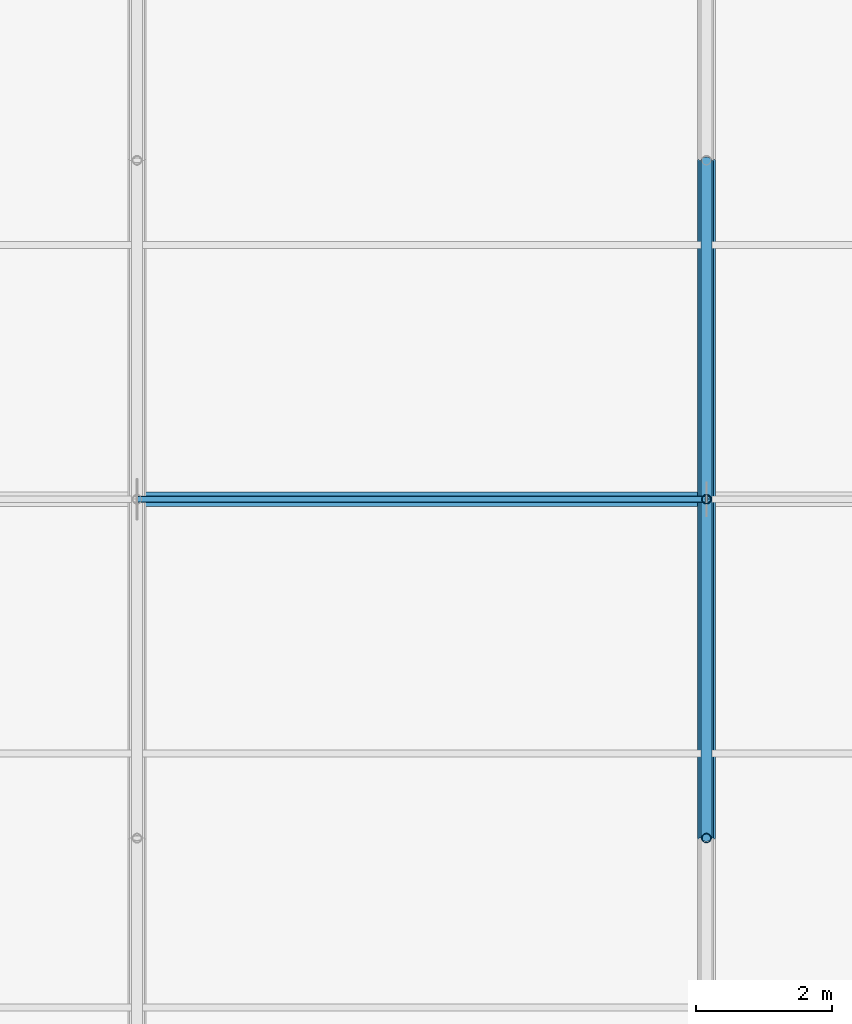
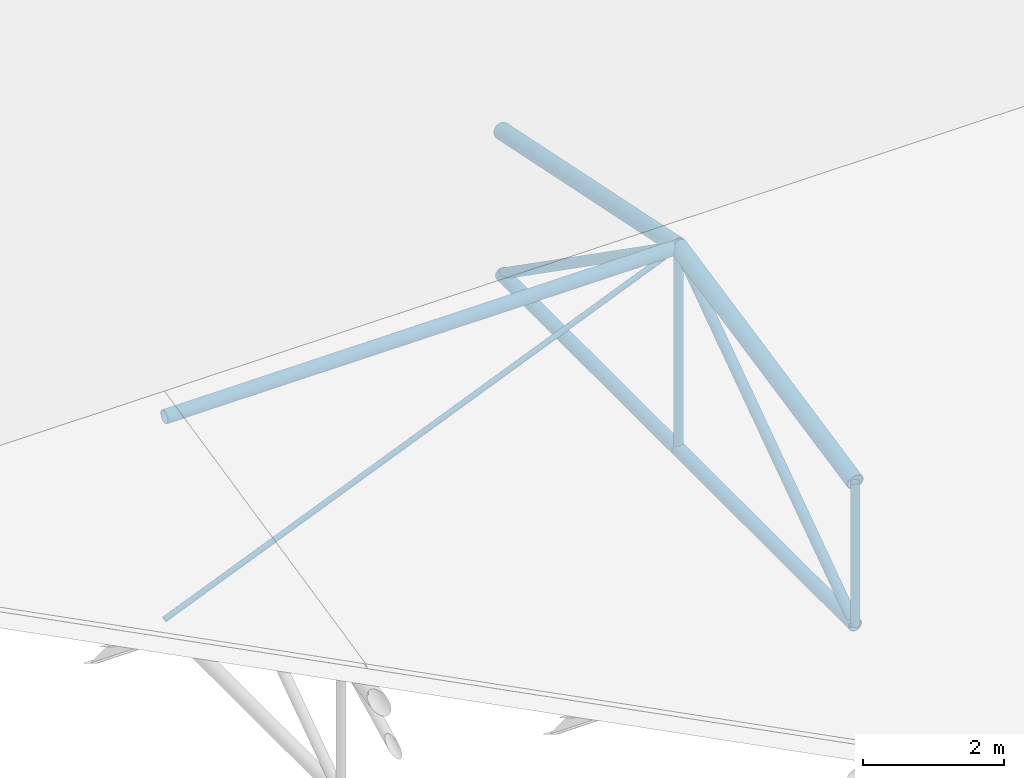
# One storey, part 33 of 194: 10 members.
"""IFC4 building model written with IfcOpenShell, lengths in metres."""

from ifc_helpers import new_model, si_unit, direction, frame, origin, origin_2d, place, context, subcontext, project, spatial, hollow_circle, extrude, material, material_profile, profile_set, type_object, element, save


model = new_model("IFC4")

# Units and contexts
model_context = context("Model", 3, precision=1e-05, world=origin(), true_north=direction((0.0, 1.0)))
body_context = subcontext(model_context, "Body", "Model", "MODEL_VIEW")
ifc_project = project(units=[si_unit("LENGTHUNIT", "METRE"), si_unit("AREAUNIT", "SQUARE_METRE"), si_unit("VOLUMEUNIT", "CUBIC_METRE"), si_unit("PLANEANGLEUNIT", "RADIAN"), si_unit("MASSUNIT", "GRAM", prefix="KILO")], contexts=[model_context])

# Site, building, storey
site_placement = place(None, origin())
site = spatial("IfcSite", under=ifc_project, at=site_placement, CompositionType="ELEMENT")
building_placement = place(site_placement, origin())
building = spatial("IfcBuilding", under=site, at=building_placement, Name="Kazenagashi Tramway Depot", CompositionType="ELEMENT")
storey_placement = place(building_placement, frame((0.0, 0.0, 23.7)))
storey = spatial("IfcBuildingStorey", under=building, at=storey_placement, Name="ROOF", CompositionType="ELEMENT", Elevation=23.7)

# Members
ifc_material_1 = material(Name="Steel STK490", Category="steel")
ifc_material_profile_1 = material_profile(ifc_material_1, hollow_circle(Radius=0.1337, WallThickness=0.0093, at=origin_2d()), Name="CHS-267.4x9.3")
ifc_profile_set_1 = profile_set([ifc_material_profile_1], Name="Steel STK490")
member_type_1 = type_object("IfcMemberType", Name="TC-01", PredefinedType="CHORD", material=ifc_profile_set_1)
for number, where, z_axis, x_axis, name in (
    (1, (103.6, 80.0, -11.633), (0.0, 0.979317999984, 0.202327098797), (-1.0, 0.0, 0.0), "Tubular Space Frame TC-01 MEM-0434"),
    (2, (103.6, 85.0, -10.6), (0.0, 0.979317999984, -0.202327098797), (-1.0, 0.0, 0.0), "Tubular Space Frame TC-01 MEM-0437"),
):
    element("IfcMember", number, at=place(storey_placement, frame(where, z_axis=z_axis, x_axis=x_axis)), inside=storey, type_object=member_type_1, Name=name, PredefinedType="CHORD", context=body_context, shape_type="SweptSolid", body=[
        extrude(hollow_circle(Radius=0.1337, WallThickness=0.0093, at=origin_2d()), origin(), (0.0, 0.0, 1.0), 5.105594),
    ])
ifc_material_profile_2 = material_profile(ifc_material_1, hollow_circle(Radius=0.10815, WallThickness=0.0082, at=origin_2d()), Name="CHS-216.3x8.2")
ifc_profile_set_2 = profile_set([ifc_material_profile_2], Name="Steel STK490")
member_type_2 = type_object("IfcMemberType", Name="TC-02", PredefinedType="CHORD", material=ifc_profile_set_2)
member_1_placement = place(storey_placement, frame((95.2, 85.0, -10.6), z_axis=(1.0, 0.0, 0.0), x_axis=(0.0, 1.0, 0.0)))
element("IfcMember", 3, at=member_1_placement, inside=storey, type_object=member_type_2, Name="Tubular Space Frame TC-02 MEM-0394", PredefinedType="CHORD", context=body_context, shape_type="SweptSolid", body=[
    extrude(hollow_circle(Radius=0.10815, WallThickness=0.0082, at=origin_2d()), origin(), (0.0, 0.0, 1.0), 8.4),
])
for number, where, z_axis, x_axis, name in (
    (4, (103.6, 80.0, -14.1), (0.0, 1.0, 0.0), (-1.0, 0.0, 0.0), "Tubular Space Frame TC-02 MEM-0435"),
    (5, (103.6, 85.0, -14.1), (0.0, 1.0, 0.0), (-1.0, 0.0, 0.0), "Tubular Space Frame TC-02 MEM-0438"),
):
    element("IfcMember", number, at=place(storey_placement, frame(where, z_axis=z_axis, x_axis=x_axis)), inside=storey, type_object=member_type_2, Name=name, PredefinedType="CHORD", context=body_context, shape_type="SweptSolid", body=[
        extrude(hollow_circle(Radius=0.10815, WallThickness=0.0082, at=origin_2d()), origin(), (0.0, 0.0, 1.0), 5.0),
    ])
ifc_material_profile_3 = material_profile(ifc_material_1, hollow_circle(Radius=0.0826, WallThickness=0.0071, at=origin_2d()), Name="CHS-165.2x7.1")
ifc_profile_set_3 = profile_set([ifc_material_profile_3], Name="Steel STK490")
member_type_3 = type_object("IfcMemberType", Name="TS-01", PredefinedType="STRUT", material=ifc_profile_set_3)
for number, where, z_axis, x_axis, name in (
    (6, (103.6, 80.0, -14.1), (0.0, 0.819231920519, 0.573462344363), (-1.0, 0.0, 0.0), "Tubular Space Frame TS-01 MEM-0436"),
    (7, (103.6, 85.0, -10.6), (0.0, 0.819231920519, -0.573462344363), (-1.0, 0.0, 0.0), "Tubular Space Frame TS-01 MEM-0439"),
):
    element("IfcMember", number, at=place(storey_placement, frame(where, z_axis=z_axis, x_axis=x_axis)), inside=storey, type_object=member_type_3, Name=name, PredefinedType="STRUT", context=body_context, shape_type="SweptSolid", body=[
        extrude(hollow_circle(Radius=0.0826, WallThickness=0.0071, at=origin_2d()), origin(), (0.0, 0.0, 1.0), 6.103278),
    ])
ifc_material_profile_4 = material_profile(ifc_material_1, hollow_circle(Radius=0.0699, WallThickness=0.0066, at=origin_2d()), Name="CHS-139.8x6.6")
ifc_profile_set_4 = profile_set([ifc_material_profile_4], Name="Steel STK490")
member_type_4 = type_object("IfcMemberType", Name="TS-02", PredefinedType="STRUT", material=ifc_profile_set_4)
member_2_placement = place(storey_placement, frame((103.6, 80.0, -14.1), z_axis=(0.0, 0.0, 1.0), x_axis=(1.0, 0.0, 0.0)))
element("IfcMember", 8, at=member_2_placement, inside=storey, type_object=member_type_4, Name="Tubular Space Frame TS-02 MEM-0448", PredefinedType="STRUT", context=body_context, shape_type="SweptSolid", body=[
    extrude(hollow_circle(Radius=0.0699, WallThickness=0.0066, at=origin_2d()), origin(), (0.0, 0.0, 1.0), 2.467),
])
member_3_placement = place(storey_placement, frame((103.6, 85.0, -14.1), z_axis=(0.0, 0.0, 1.0), x_axis=(1.0, 0.0, 0.0)))
element("IfcMember", 9, at=member_3_placement, inside=storey, type_object=member_type_4, Name="Tubular Space Frame TS-02 MEM-0449", PredefinedType="STRUT", context=body_context, shape_type="SweptSolid", body=[
    extrude(hollow_circle(Radius=0.0699, WallThickness=0.0066, at=origin_2d()), origin(), (0.0, 0.0, 1.0), 3.5),
])
ifc_material_2 = material(Name="Steel STK400", Category="steel")
ifc_material_profile_5 = material_profile(ifc_material_2, hollow_circle(Radius=0.04455, WallThickness=0.0042, at=origin_2d()), Name="CHS-89.1x4.2")
ifc_profile_set_5 = profile_set([ifc_material_profile_5], Name="Steel STK400")
member_type_5 = type_object("IfcMemberType", Name="TS-04", PredefinedType="STRUT", material=ifc_profile_set_5)
member_4_placement = place(storey_placement, frame((95.2, 85.0, -14.1), z_axis=(0.923076923077, 0.0, 0.384615384615), x_axis=(0.0, 1.0, 0.0)))
element("IfcMember", 10, at=member_4_placement, inside=storey, type_object=member_type_5, Name="Tubular Space Frame TS-04 MEM-0395", PredefinedType="STRUT", context=body_context, shape_type="SweptSolid", body=[
    extrude(hollow_circle(Radius=0.04455, WallThickness=0.0042, at=origin_2d()), origin(), (0.0, 0.0, 1.0), 9.1),
])

save(model, "model.ifc")
